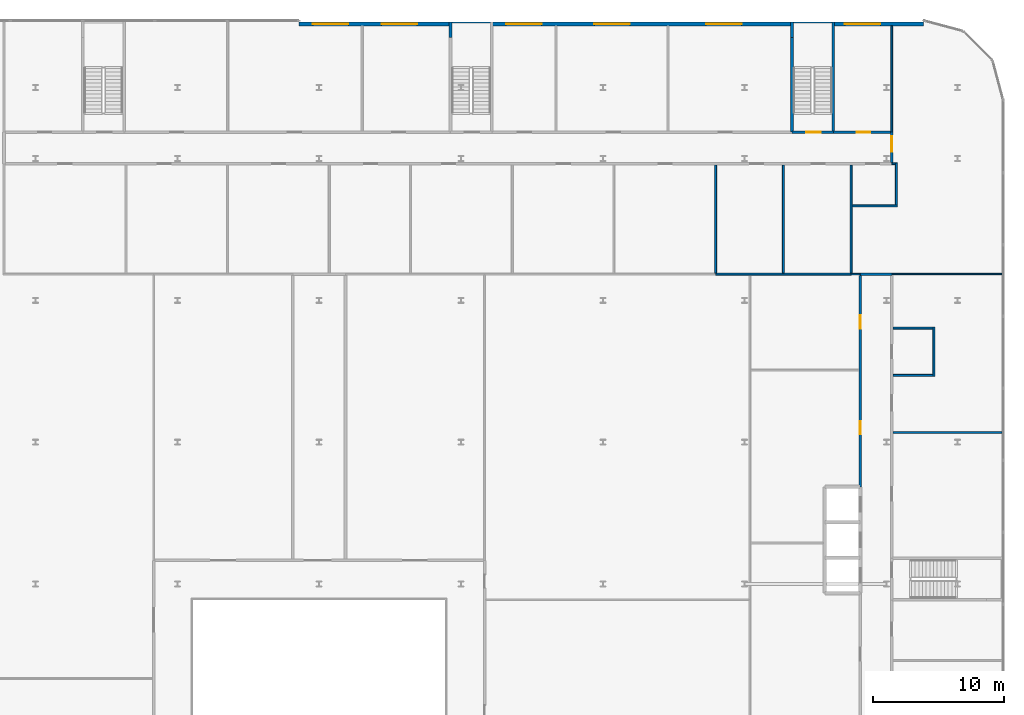
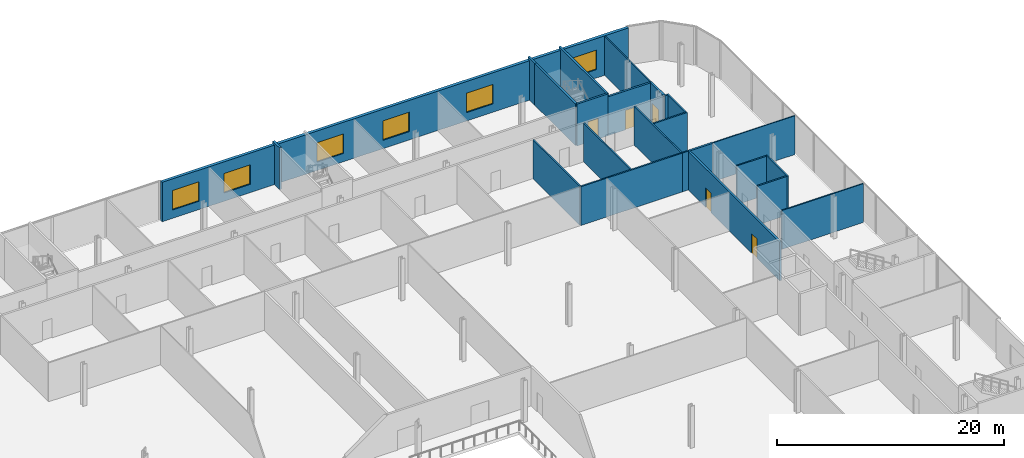
# One storey, part 36 of 47: 24 walls, 6 windows, 5 doors, 11 openings.
"""IFC4 building model written with IfcOpenShell, lengths in metres."""

from ifc_helpers import new_model, si_unit, direction, frame, frame_2d, origin, place, context, subcontext, project, spatial, rectangle, extrude, source, transform, mapped, material, layer, layer_set, type_object, element, fill, save


model = new_model("IFC4")

# Units and contexts
model_context = context("Model", 3, precision=1e-05, world=origin(), true_north=direction((0.0, 1.0)))
body_context = subcontext(model_context, "Body", "Model", "MODEL_VIEW")
ifc_project = project(units=[si_unit("LENGTHUNIT", "METRE"), si_unit("AREAUNIT", "SQUARE_METRE"), si_unit("VOLUMEUNIT", "CUBIC_METRE"), si_unit("PLANEANGLEUNIT", "RADIAN"), si_unit("MASSUNIT", "GRAM", prefix="KILO")], contexts=[model_context])

# Site, building, storey
site_placement = place(None, origin())
site = spatial("IfcSite", under=ifc_project, at=site_placement, CompositionType="ELEMENT")
building_placement = place(site_placement, origin())
building = spatial("IfcBuilding", under=site, at=building_placement, Name="Kheshtan School and Residences Tower", CompositionType="ELEMENT")
storey_placement = place(building_placement, frame((0.0, 0.0, 17.0)))
storey = spatial("IfcBuildingStorey", under=building, at=storey_placement, Name="L03", CompositionType="ELEMENT", Elevation=17.0)

# Walls
ifc_material_1 = material(Name="Gypsum board on steel studs with mineral wool", Category="steel")
ifc_layer_1 = layer(ifc_material_1, 0.125)
ifc_layer_set_1 = layer_set([ifc_layer_1], Name="Acoustic partition 125")
wall_type_1 = type_object("IfcWallType", Name="Acoustic partition 125", PredefinedType="PARTITIONING", material=ifc_layer_set_1)
wall_1_placement = place(storey_placement, frame((120.50390625, 90.800048828125, 0.0), z_axis=(0.0, 0.0, 1.0), x_axis=(1.0, 0.0, 0.0)))
element("IfcWall", 1, at=wall_1_placement, inside=storey, type_object=wall_type_1, Name="Partition L03-076", PredefinedType="PARTITIONING", context=body_context, shape_type="SweptSolid", body=[
    extrude(rectangle(XDim=0.696044921875, YDim=0.125, at=frame_2d((0.34814453125, 0.0))), origin(), (0.0, 0.0, 1.0), 4.179931640625),
])
wall_2_placement = place(storey_placement, frame((123.60009765625, 101.60009765625, 0.0), z_axis=(0.0, 0.0, 1.0), x_axis=(0.0, 1.0, 0.0)))
element("IfcWall", 2, at=wall_2_placement, inside=storey, type_object=wall_type_1, Name="Partition L03-090", PredefinedType="PARTITIONING", context=body_context, shape_type="SweptSolid", body=[
    extrude(rectangle(XDim=8.100830078125, YDim=0.125, at=frame_2d((4.05029296875, 0.0))), origin(), (0.0, 0.0, 1.0), 4.179931640625),
])
wall_3_placement = place(storey_placement, frame((123.699951171875, 78.738037109375, 0.0), z_axis=(0.0, 0.0, 1.0), x_axis=(1.0, 0.0, 0.0)))
element("IfcWall", 3, at=wall_3_placement, inside=storey, type_object=wall_type_1, Name="Partition L03-092", PredefinedType="PARTITIONING", context=body_context, shape_type="SweptSolid", body=[
    extrude(rectangle(XDim=8.300048828125, YDim=0.125, at=frame_2d((4.14990234375, 0.0))), origin(), (0.0, 0.0, 1.0), 4.179931640625),
])

# Wall, opening, door
ifc_material_2 = material(Name="Gypsum board on steel studs with fire boards", Category="steel")
ifc_layer_2 = layer(ifc_material_2, 0.199951171875)
ifc_layer_set_2 = layer_set([ifc_layer_2], Name="Corridor wall 200")
wall_type_2 = type_object("IfcWallType", Name="Corridor wall 200", PredefinedType="PARTITIONING", material=ifc_layer_set_2)
wall_4_placement = place(storey_placement, frame((119.14990234375, 101.60009765625, 0.0), z_axis=(0.0, 0.0, 1.0), x_axis=(1.0, 0.0, 0.0)))
wall_4 = element("IfcWall", 4, at=wall_4_placement, inside=storey, type_object=wall_type_2, Name="Partition L03-075", PredefinedType="PARTITIONING", context=body_context, shape_type="SweptSolid", body=[
    extrude(rectangle(XDim=4.35009765625, YDim=0.199951171875, at=frame_2d((2.175048828125, 0.0))), origin(), (0.0, 0.0, 1.0), 4.179931640625),
])
opening_1_placement = place(wall_4_placement, frame((1.800048828125, 0.0, 0.0)))
opening_1 = element("IfcOpeningElement", 5, at=opening_1_placement, cuts=wall_4, Name="Opening D03-031", PredefinedType="OPENING", context=body_context, shape_type="SweptSolid", body=[
    extrude(rectangle(XDim=1.0, YDim=2.10009765625, at=frame_2d((0.5, 1.050048828125))), frame((0.0, 0.10986328125, 0.0), z_axis=(0.0, -1.0, 0.0), x_axis=(1.0, 0.0, 0.0)), (0.0, 0.0, 1.0), 0.219970703125),
])
ifc_material_3 = material(Name="Steel-framed fire-resisting door leaf", Category="steel")
door_type_1 = type_object("IfcDoorType", Name="Fire door FD60 1000 x 2100", OperationType="SINGLE_SWING_LEFT", PredefinedType="DOOR", material=ifc_material_3)
shared_shape_1 = source(origin(), body_context, "Body", "SweptSolid", [
    extrude(rectangle(XDim=1.0, YDim=2.10009765625, at=frame_2d((0.5, 1.050048828125))), frame((0.0, 0.02490234375, 0.0), z_axis=(0.0, -1.0, 0.0), x_axis=(1.0, 0.0, 0.0)), (0.0, 0.0, 1.0), 0.050048828125),
])
door_1_placement = place(opening_1_placement, origin())
door_1 = element("IfcDoor", 6, at=door_1_placement, inside=storey, type_object=door_type_1, Name="Door D03-031", OperationType="SINGLE_SWING_RIGHT", OverallHeight=2.10009765625, OverallWidth=1.0, PredefinedType="DOOR", context=body_context, shape_type="MappedRepresentation", body=[
    mapped(shared_shape_1, transform((0.0, 0.0, 0.0), x_axis=(1.0, 0.0, 0.0), y_axis=(0.0, 1.0, 0.0), z_axis=(0.0, 0.0, 1.0), scale=1.0)),
])
fill(opening_1, door_1)

# Wall, openings, doors
wall_5_placement = place(storey_placement, frame((121.199951171875, 74.60009765625, 0.0), z_axis=(0.0, 0.0, 1.0), x_axis=(0.0, 1.0, 0.0)))
wall_5 = element("IfcWall", 7, at=wall_5_placement, inside=storey, type_object=wall_type_2, Name="Partition L03-082", PredefinedType="PARTITIONING", context=body_context, shape_type="SweptSolid", body=[
    extrude(rectangle(XDim=16.099853515625, YDim=0.199951171875, at=frame_2d((8.0498046875, 0.0))), origin(), (0.0, 0.0, 1.0), 4.179931640625),
])
opening_2_placement = place(wall_5_placement, frame((3.987060546875, 0.0, 0.0)))
opening_2 = element("IfcOpeningElement", 8, at=opening_2_placement, cuts=wall_5, Name="Opening D03-003", PredefinedType="OPENING", context=body_context, shape_type="SweptSolid", body=[
    extrude(rectangle(XDim=1.0, YDim=2.10009765625, at=frame_2d((0.5, 1.050048828125))), frame((0.0, 0.10986328125, 0.0), z_axis=(0.0, -1.0, 0.0), x_axis=(1.0, 0.0, 0.0)), (0.0, 0.0, 1.0), 0.219970703125),
])
opening_3_placement = place(wall_5_placement, frame((12.050048828125, 0.0, 0.0)))
opening_3 = element("IfcOpeningElement", 9, at=opening_3_placement, cuts=wall_5, Name="Opening D03-004", PredefinedType="OPENING", context=body_context, shape_type="SweptSolid", body=[
    extrude(rectangle(XDim=1.0, YDim=2.10009765625, at=frame_2d((0.5, 1.050048828125))), frame((0.0, 0.10986328125, 0.0), z_axis=(0.0, -1.0, 0.0), x_axis=(1.0, 0.0, 0.0)), (0.0, 0.0, 1.0), 0.219970703125),
])
door_2_placement = place(opening_2_placement, origin())
door_2 = element("IfcDoor", 10, at=door_2_placement, inside=storey, type_object=door_type_1, Name="Door D03-003", OperationType="SINGLE_SWING_LEFT", OverallHeight=2.10009765625, OverallWidth=1.0, PredefinedType="DOOR", context=body_context, shape_type="MappedRepresentation", body=[
    mapped(shared_shape_1, transform((0.0, 0.0, 0.0), x_axis=(1.0, 0.0, 0.0), y_axis=(0.0, 1.0, 0.0), z_axis=(0.0, 0.0, 1.0), scale=1.0)),
])
fill(opening_2, door_2)
door_3_placement = place(opening_3_placement, origin())
door_3 = element("IfcDoor", 11, at=door_3_placement, inside=storey, type_object=door_type_1, Name="Door D03-004", OperationType="SINGLE_SWING_RIGHT", OverallHeight=2.10009765625, OverallWidth=1.0, PredefinedType="DOOR", context=body_context, shape_type="MappedRepresentation", body=[
    mapped(shared_shape_1, transform((0.0, 0.0, 0.0), x_axis=(1.0, 0.0, 0.0), y_axis=(0.0, 1.0, 0.0), z_axis=(0.0, 0.0, 1.0), scale=1.0)),
])
fill(opening_3, door_3)

# Wall
wall_6_placement = place(storey_placement, frame((121.199951171875, 90.800048828125, 0.0), z_axis=(0.0, 0.0, 1.0), x_axis=(1.0, 0.0, 0.0)))
element("IfcWall", 12, at=wall_6_placement, inside=storey, type_object=wall_type_2, Name="Partition L03-083", PredefinedType="PARTITIONING", context=body_context, shape_type="SweptSolid", body=[
    extrude(rectangle(XDim=2.400146484375, YDim=0.199951171875, at=frame_2d((1.2001953125, 0.0))), origin(), (0.0, 0.0, 1.0), 4.179931640625),
])

# Wall, opening, door
wall_7_placement = place(storey_placement, frame((123.60009765625, 99.300048828125, 0.0), z_axis=(0.0, 0.0, 1.0), x_axis=(0.0, 1.0, 0.0)))
wall_7 = element("IfcWall", 13, at=wall_7_placement, inside=storey, type_object=wall_type_2, Name="Partition L03-089", PredefinedType="PARTITIONING", context=body_context, shape_type="SweptSolid", body=[
    extrude(rectangle(XDim=2.300048828125, YDim=0.199951171875, at=frame_2d((1.14990234375, 0.0))), origin(), (0.0, 0.0, 1.0), 4.179931640625),
])
opening_4_placement = place(wall_7_placement, frame((0.800048828125, 0.0, 0.0)))
opening_4 = element("IfcOpeningElement", 14, at=opening_4_placement, cuts=wall_7, Name="Opening D03-015", PredefinedType="OPENING", context=body_context, shape_type="SweptSolid", body=[
    extrude(rectangle(XDim=1.199951171875, YDim=2.10009765625, at=frame_2d((0.60009765625, 1.050048828125))), frame((0.0, 0.10986328125, 0.0), z_axis=(0.0, -1.0, 0.0), x_axis=(1.0, 0.0, 0.0)), (0.0, 0.0, 1.0), 0.219970703125),
])
door_type_2 = type_object("IfcDoorType", Name="Fire door FD60 1200 x 2100", OperationType="SINGLE_SWING_LEFT", PredefinedType="DOOR", material=ifc_material_3)
shared_shape_2 = source(origin(), body_context, "Body", "SweptSolid", [
    extrude(rectangle(XDim=1.199951171875, YDim=2.10009765625, at=frame_2d((0.60009765625, 1.050048828125))), frame((0.0, 0.02490234375, 0.0), z_axis=(0.0, -1.0, 0.0), x_axis=(1.0, 0.0, 0.0)), (0.0, 0.0, 1.0), 0.050048828125),
])
door_4_placement = place(opening_4_placement, origin())
door_4 = element("IfcDoor", 15, at=door_4_placement, inside=storey, type_object=door_type_2, Name="Door D03-015", OperationType="SINGLE_SWING_RIGHT", OverallHeight=2.10009765625, OverallWidth=1.199951171875, PredefinedType="DOOR", context=body_context, shape_type="MappedRepresentation", body=[
    mapped(shared_shape_2, transform((0.0, 0.0, 0.0), x_axis=(1.0, 0.0, 0.0), y_axis=(0.0, 1.0, 0.0), z_axis=(0.0, 0.0, 1.0), scale=1.0)),
])
fill(opening_4, door_4)

# Wall
ifc_material_4 = material(Name="Gypsum board on steel studs", Category="steel")
ifc_layer_3 = layer(ifc_material_4, 0.10009765625)
ifc_layer_set_3 = layer_set([ifc_layer_3], Name="Gypsum partition 100")
wall_type_3 = type_object("IfcWallType", Name="Gypsum partition 100", PredefinedType="PARTITIONING", material=ifc_layer_set_3)
wall_8_placement = place(storey_placement, frame((123.60009765625, 90.800048828125, 0.0), z_axis=(0.0, 0.0, 1.0), x_axis=(1.0, 0.0, 0.0)))
element("IfcWall", 16, at=wall_8_placement, inside=storey, type_object=wall_type_3, Name="Partition L03-087", PredefinedType="PARTITIONING", context=body_context, shape_type="SweptSolid", body=[
    extrude(rectangle(XDim=8.39990234375, YDim=0.10009765625, at=frame_2d((4.199951171875, 0.0))), origin(), (0.0, 0.0, 1.0), 4.179931640625),
])

# Wall, openings, windows
ifc_material_5 = material(Name="Concrete C40/50 with ceramic cladding and mineral wool insulation", Category="concrete")
ifc_layer_4 = layer(ifc_material_5, 0.300048828125)
ifc_layer_set_4 = layer_set([ifc_layer_4], Name="Podium external wall 300")
wall_type_4 = type_object("IfcWallType", Name="Podium external wall 300", PredefinedType="SOLIDWALL", material=ifc_layer_set_4)
wall_9_placement = place(storey_placement, frame((78.47998046875, 109.85009765625, 0.0), z_axis=(0.0, 0.0, 1.0), x_axis=(1.0, 0.0, 0.0)))
wall_9 = element("IfcWall", 17, at=wall_9_placement, inside=storey, type_object=wall_type_4, Name="Podium external wall L03 4.1", PredefinedType="SOLIDWALL", context=body_context, shape_type="SweptSolid", body=[
    extrude(rectangle(XDim=47.52001953125, YDim=0.300048828125, at=frame_2d((23.760009765625, 0.0))), origin(), (0.0, 0.0, 1.0), 4.25),
])
opening_5_placement = place(wall_9_placement, frame((1.044921875, 0.0, 0.89990234375)))
opening_5 = element("IfcOpeningElement", 18, at=opening_5_placement, cuts=wall_9, Name="Opening WN-D", PredefinedType="OPENING", context=body_context, shape_type="SweptSolid", body=[
    extrude(rectangle(XDim=2.699951171875, YDim=2.10009765625, at=frame_2d((1.35009765625, 1.050048828125))), frame((0.0, 0.16015625, 0.0), z_axis=(0.0, -1.0, 0.0), x_axis=(1.0, 0.0, 0.0)), (0.0, 0.0, 1.0), 0.320068359375),
])
opening_6_placement = place(wall_9_placement, frame((6.280029296875, 0.0, 0.89990234375)))
opening_6 = element("IfcOpeningElement", 19, at=opening_6_placement, cuts=wall_9, Name="Opening WN-D", PredefinedType="OPENING", context=body_context, shape_type="SweptSolid", body=[
    extrude(rectangle(XDim=2.699951171875, YDim=2.10009765625, at=frame_2d((1.35009765625, 1.050048828125))), frame((0.0, 0.16015625, 0.0), z_axis=(0.0, -1.0, 0.0), x_axis=(1.0, 0.0, 0.0)), (0.0, 0.0, 1.0), 0.320068359375),
])
opening_7_placement = place(wall_9_placement, frame((15.764892578125, 0.0, 0.89990234375)))
opening_7 = element("IfcOpeningElement", 20, at=opening_7_placement, cuts=wall_9, Name="Opening WN-D", PredefinedType="OPENING", context=body_context, shape_type="SweptSolid", body=[
    extrude(rectangle(XDim=2.699951171875, YDim=2.10009765625, at=frame_2d((1.35009765625, 1.050048828125))), frame((0.0, 0.16015625, 0.0), z_axis=(0.0, -1.0, 0.0), x_axis=(1.0, 0.0, 0.0)), (0.0, 0.0, 1.0), 0.320068359375),
])
opening_8_placement = place(wall_9_placement, frame((22.469970703125, 0.0, 0.89990234375)))
opening_8 = element("IfcOpeningElement", 21, at=opening_8_placement, cuts=wall_9, Name="Opening WN-D", PredefinedType="OPENING", context=body_context, shape_type="SweptSolid", body=[
    extrude(rectangle(XDim=2.699951171875, YDim=2.10009765625, at=frame_2d((1.35009765625, 1.050048828125))), frame((0.0, 0.16015625, 0.0), z_axis=(0.0, -1.0, 0.0), x_axis=(1.0, 0.0, 0.0)), (0.0, 0.0, 1.0), 0.320068359375),
])
opening_9_placement = place(wall_9_placement, frame((30.989990234375, 0.0, 0.89990234375)))
opening_9 = element("IfcOpeningElement", 22, at=opening_9_placement, cuts=wall_9, Name="Opening WN-D", PredefinedType="OPENING", context=body_context, shape_type="SweptSolid", body=[
    extrude(rectangle(XDim=2.699951171875, YDim=2.10009765625, at=frame_2d((1.35009765625, 1.050048828125))), frame((0.0, 0.16015625, 0.0), z_axis=(0.0, -1.0, 0.0), x_axis=(1.0, 0.0, 0.0)), (0.0, 0.0, 1.0), 0.320068359375),
])
opening_10_placement = place(wall_9_placement, frame((41.544921875, 0.0, 0.89990234375)))
opening_10 = element("IfcOpeningElement", 23, at=opening_10_placement, cuts=wall_9, Name="Opening WN-D", PredefinedType="OPENING", context=body_context, shape_type="SweptSolid", body=[
    extrude(rectangle(XDim=2.699951171875, YDim=2.10009765625, at=frame_2d((1.35009765625, 1.050048828125))), frame((0.0, 0.16015625, 0.0), z_axis=(0.0, -1.0, 0.0), x_axis=(1.0, 0.0, 0.0)), (0.0, 0.0, 1.0), 0.320068359375),
])
ifc_material_6 = material(Name="Clear low-e glass in thermally broken aluminium frame", Category="aluminium")
window_type = type_object("IfcWindowType", Name="Window WN-D", PartitioningType="SINGLE_PANEL", PredefinedType="WINDOW", material=ifc_material_6)
shared_shape_3 = source(origin(), body_context, "Body", "SweptSolid", [
    extrude(rectangle(XDim=2.699951171875, YDim=2.10009765625, at=frame_2d((1.35009765625, 1.050048828125))), frame((0.0, 0.030029296875, 0.0), z_axis=(0.0, -1.0, 0.0), x_axis=(1.0, 0.0, 0.0)), (0.0, 0.0, 1.0), 0.06005859375),
])
window_1_placement = place(opening_5_placement, origin())
window_1 = element("IfcWindow", 24, at=window_1_placement, inside=storey, type_object=window_type, Name="Window L03 4.1.1", OverallHeight=2.10009765625, OverallWidth=2.699951171875, PartitioningType="SINGLE_PANEL", PredefinedType="WINDOW", context=body_context, shape_type="MappedRepresentation", body=[
    mapped(shared_shape_3, transform((0.0, 0.0, 0.0), x_axis=(1.0, 0.0, 0.0), y_axis=(0.0, 1.0, 0.0), z_axis=(0.0, 0.0, 1.0), scale=1.0)),
])
fill(opening_5, window_1)
window_2_placement = place(opening_6_placement, origin())
window_2 = element("IfcWindow", 25, at=window_2_placement, inside=storey, type_object=window_type, Name="Window L03 4.1.2", OverallHeight=2.10009765625, OverallWidth=2.699951171875, PartitioningType="SINGLE_PANEL", PredefinedType="WINDOW", context=body_context, shape_type="MappedRepresentation", body=[
    mapped(shared_shape_3, transform((0.0, 0.0, 0.0), x_axis=(1.0, 0.0, 0.0), y_axis=(0.0, 1.0, 0.0), z_axis=(0.0, 0.0, 1.0), scale=1.0)),
])
fill(opening_6, window_2)
window_3_placement = place(opening_7_placement, origin())
window_3 = element("IfcWindow", 26, at=window_3_placement, inside=storey, type_object=window_type, Name="Window L03 4.1.3", OverallHeight=2.10009765625, OverallWidth=2.699951171875, PartitioningType="SINGLE_PANEL", PredefinedType="WINDOW", context=body_context, shape_type="MappedRepresentation", body=[
    mapped(shared_shape_3, transform((0.0, 0.0, 0.0), x_axis=(1.0, 0.0, 0.0), y_axis=(0.0, 1.0, 0.0), z_axis=(0.0, 0.0, 1.0), scale=1.0)),
])
fill(opening_7, window_3)
window_4_placement = place(opening_8_placement, origin())
window_4 = element("IfcWindow", 27, at=window_4_placement, inside=storey, type_object=window_type, Name="Window L03 4.1.4", OverallHeight=2.10009765625, OverallWidth=2.699951171875, PartitioningType="SINGLE_PANEL", PredefinedType="WINDOW", context=body_context, shape_type="MappedRepresentation", body=[
    mapped(shared_shape_3, transform((0.0, 0.0, 0.0), x_axis=(1.0, 0.0, 0.0), y_axis=(0.0, 1.0, 0.0), z_axis=(0.0, 0.0, 1.0), scale=1.0)),
])
fill(opening_8, window_4)
window_5_placement = place(opening_9_placement, origin())
window_5 = element("IfcWindow", 28, at=window_5_placement, inside=storey, type_object=window_type, Name="Window L03 4.1.5", OverallHeight=2.10009765625, OverallWidth=2.699951171875, PartitioningType="SINGLE_PANEL", PredefinedType="WINDOW", context=body_context, shape_type="MappedRepresentation", body=[
    mapped(shared_shape_3, transform((0.0, 0.0, 0.0), x_axis=(1.0, 0.0, 0.0), y_axis=(0.0, 1.0, 0.0), z_axis=(0.0, 0.0, 1.0), scale=1.0)),
])
fill(opening_9, window_5)
window_6_placement = place(opening_10_placement, origin())
window_6 = element("IfcWindow", 29, at=window_6_placement, inside=storey, type_object=window_type, Name="Window L03 4.1.6", OverallHeight=2.10009765625, OverallWidth=2.699951171875, PartitioningType="SINGLE_PANEL", PredefinedType="WINDOW", context=body_context, shape_type="MappedRepresentation", body=[
    mapped(shared_shape_3, transform((0.0, 0.0, 0.0), x_axis=(1.0, 0.0, 0.0), y_axis=(0.0, 1.0, 0.0), z_axis=(0.0, 0.0, 1.0), scale=1.0)),
])
fill(opening_10, window_6)

# Wall
ifc_material_7 = material(Name="Concrete C40/50", Category="concrete")
ifc_layer_5 = layer(ifc_material_7, 0.199951171875)
ifc_layer_set_5 = layer_set([ifc_layer_5], Name="Stair enclosure wall 200 Concrete C40/50")
wall_type_5 = type_object("IfcWallType", Name="Stair enclosure wall 200 Concrete C40/50", PredefinedType="SHEAR", material=ifc_layer_set_5)
wall_10_placement = place(storey_placement, frame((90.0, 108.800048828125, 0.0), z_axis=(0.0, 0.0, 1.0), x_axis=(0.0, 1.0, 0.0)))
element("IfcWall", 30, at=wall_10_placement, inside=storey, type_object=wall_type_5, Name="Stair enclosure wall", PredefinedType="SHEAR", context=body_context, shape_type="SweptSolid", body=[
    extrude(rectangle(XDim=1.199951171875, YDim=0.199951171875, at=frame_2d((0.60009765625, 0.0))), origin(), (0.0, 0.0, 1.0), 4.5),
])

# Wall, opening, door
wall_11_placement = place(storey_placement, frame((116.0, 101.60009765625, 0.0), z_axis=(0.0, 0.0, 1.0), x_axis=(1.0, 0.0, 0.0)))
wall_11 = element("IfcWall", 31, at=wall_11_placement, inside=storey, type_object=wall_type_5, Name="Stair enclosure wall", PredefinedType="SHEAR", context=body_context, shape_type="SweptSolid", body=[
    extrude(rectangle(XDim=3.14990234375, YDim=0.199951171875, at=frame_2d((1.574951171875, 0.0))), origin(), (0.0, 0.0, 1.0), 4.5),
])
opening_11_placement = place(wall_11_placement, frame((1.10009765625, 0.0, 0.0)))
opening_11 = element("IfcOpeningElement", 32, at=opening_11_placement, cuts=wall_11, Name="Opening SD90", PredefinedType="OPENING", context=body_context, shape_type="SweptSolid", body=[
    extrude(rectangle(XDim=1.10009765625, YDim=2.199951171875, at=frame_2d((0.550048828125, 1.10009765625))), frame((0.0, 0.10986328125, 0.0), z_axis=(0.0, -1.0, 0.0), x_axis=(1.0, 0.0, 0.0)), (0.0, 0.0, 1.0), 0.219970703125),
])
ifc_material_8 = material(Name="Steel door leaf, galvanised", Category="steel")
door_type_3 = type_object("IfcDoorType", Name="Stair door 1100 steel 90 min", OperationType="SINGLE_SWING_LEFT", PredefinedType="DOOR", material=ifc_material_8)
shared_shape_4 = source(origin(), body_context, "Body", "SweptSolid", [
    extrude(rectangle(XDim=1.10009765625, YDim=2.199951171875, at=frame_2d((0.550048828125, 1.10009765625))), frame((0.0, 0.02490234375, 0.0), z_axis=(0.0, -1.0, 0.0), x_axis=(1.0, 0.0, 0.0)), (0.0, 0.0, 1.0), 0.050048828125),
])
door_5_placement = place(opening_11_placement, origin())
door_5 = element("IfcDoor", 33, at=door_5_placement, inside=storey, type_object=door_type_3, Name="Stair door", OperationType="SINGLE_SWING_RIGHT", OverallHeight=2.199951171875, OverallWidth=1.10009765625, PredefinedType="DOOR", context=body_context, shape_type="MappedRepresentation", body=[
    mapped(shared_shape_4, transform((0.0, 0.0, 0.0), x_axis=(1.0, 0.0, 0.0), y_axis=(0.0, 1.0, 0.0), z_axis=(0.0, 0.0, 1.0), scale=1.0)),
])
fill(opening_11, door_5)

# Walls
wall_12_placement = place(storey_placement, frame((116.0, 101.60009765625, 0.0), z_axis=(0.0, 0.0, 1.0), x_axis=(0.0, 1.0, 0.0)))
element("IfcWall", 34, at=wall_12_placement, inside=storey, type_object=wall_type_5, Name="Stair enclosure wall", PredefinedType="SHEAR", context=body_context, shape_type="SweptSolid", body=[
    extrude(rectangle(XDim=7.199951171875, YDim=0.199951171875, at=frame_2d((3.60009765625, 0.0))), origin(), (0.0, 0.0, 1.0), 4.5),
])
wall_13_placement = place(storey_placement, frame((116.0, 108.800048828125, 0.0), z_axis=(0.0, 0.0, 1.0), x_axis=(0.0, 1.0, 0.0)))
element("IfcWall", 35, at=wall_13_placement, inside=storey, type_object=wall_type_5, Name="Stair enclosure wall", PredefinedType="SHEAR", context=body_context, shape_type="SweptSolid", body=[
    extrude(rectangle(XDim=1.199951171875, YDim=0.199951171875, at=frame_2d((0.60009765625, 0.0))), origin(), (0.0, 0.0, 1.0), 4.5),
])
wall_14_placement = place(storey_placement, frame((119.14990234375, 101.60009765625, 0.0), z_axis=(0.0, 0.0, 1.0), x_axis=(0.0, 1.0, 0.0)))
element("IfcWall", 36, at=wall_14_placement, inside=storey, type_object=wall_type_5, Name="Stair enclosure wall", PredefinedType="SHEAR", context=body_context, shape_type="SweptSolid", body=[
    extrude(rectangle(XDim=8.39990234375, YDim=0.199951171875, at=frame_2d((4.199951171875, 0.0))), origin(), (0.0, 0.0, 1.0), 4.5),
])
ifc_material_9 = material(Name="Moisture-resistant gypsum board on steel studs", Category="steel")
ifc_layer_6 = layer(ifc_material_9, 0.14990234375)
ifc_layer_set_6 = layer_set([ifc_layer_6], Name="Wet-room partition 150")
wall_type_6 = type_object("IfcWallType", Name="Wet-room partition 150", PredefinedType="PARTITIONING", material=ifc_layer_set_6)
wall_15_placement = place(storey_placement, frame((110.18310546875, 90.800048828125, 0.0), z_axis=(0.0, 0.0, 1.0), x_axis=(1.0, 0.0, 0.0)))
element("IfcWall", 37, at=wall_15_placement, inside=storey, type_object=wall_type_6, Name="Partition L03-066", PredefinedType="PARTITIONING", context=body_context, shape_type="SweptSolid", body=[
    extrude(rectangle(XDim=10.32080078125, YDim=0.14990234375, at=frame_2d((5.160400390625, 0.0))), origin(), (0.0, 0.0, 1.0), 4.179931640625),
])
for number, where, z_axis, x_axis, name in (
    (38, (110.18310546875, 90.875, 0.0), (0.0, 0.0, 1.0), (0.0, 1.0, 0.0), "Partition L03-067"),
    (39, (115.343994140625, 90.875, 0.0), (0.0, 0.0, 1.0), (0.0, 1.0, 0.0), "Partition L03-073"),
    (40, (120.50390625, 90.875, 0.0), (0.0, 0.0, 1.0), (0.0, 1.0, 0.0), "Partition L03-077"),
):
    element("IfcWall", number, at=place(storey_placement, frame(where, z_axis=z_axis, x_axis=x_axis)), inside=storey, type_object=wall_type_6, Name=name, PredefinedType="PARTITIONING", context=body_context, shape_type="SweptSolid", body=[
        extrude(rectangle(XDim=8.22509765625, YDim=0.14990234375, at=frame_2d((4.112548828125, 0.0))), origin(), (0.0, 0.0, 1.0), 4.179931640625),
    ])
wall_16_placement = place(storey_placement, frame((120.5791015625, 96.0, 0.0), z_axis=(0.0, 0.0, 1.0), x_axis=(1.0, 0.0, 0.0)))
element("IfcWall", 41, at=wall_16_placement, inside=storey, type_object=wall_type_6, Name="Partition L03-078", PredefinedType="PARTITIONING", context=body_context, shape_type="SweptSolid", body=[
    extrude(rectangle(XDim=3.449951171875, YDim=0.14990234375, at=frame_2d((1.72509765625, 0.0))), origin(), (0.0, 0.0, 1.0), 4.179931640625),
])
wall_17_placement = place(storey_placement, frame((123.60009765625, 99.199951171875, 0.0), z_axis=(0.0, 0.0, 1.0), x_axis=(1.0, 0.0, 0.0)))
element("IfcWall", 42, at=wall_17_placement, inside=storey, type_object=wall_type_6, Name="Partition L03-088", PredefinedType="PARTITIONING", context=body_context, shape_type="SweptSolid", body=[
    extrude(rectangle(XDim=0.27880859375, YDim=0.14990234375, at=frame_2d((0.139404296875, 0.0))), origin(), (0.0, 0.0, 1.0), 4.179931640625),
])
for number, where, z_axis, x_axis, name in (
    (43, (123.699951171875, 83.087890625, 0.0), (0.0, 0.0, 1.0), (1.0, 0.0, 0.0), "Partition L03-093"),
    (44, (123.699951171875, 86.68798828125, 0.0), (0.0, 0.0, 1.0), (1.0, 0.0, 0.0), "Partition L03-094"),
):
    element("IfcWall", number, at=place(storey_placement, frame(where, z_axis=z_axis, x_axis=x_axis)), inside=storey, type_object=wall_type_6, Name=name, PredefinedType="PARTITIONING", context=body_context, shape_type="SweptSolid", body=[
        extrude(rectangle(XDim=3.025146484375, YDim=0.14990234375, at=frame_2d((1.5126953125, 0.0))), origin(), (0.0, 0.0, 1.0), 4.179931640625),
    ])
wall_18_placement = place(storey_placement, frame((123.9541015625, 96.074951171875, 0.0), z_axis=(0.0, 0.0, 1.0), x_axis=(0.0, 1.0, 0.0)))
element("IfcWall", 45, at=wall_18_placement, inside=storey, type_object=wall_type_6, Name="Partition L03-095", PredefinedType="PARTITIONING", context=body_context, shape_type="SweptSolid", body=[
    extrude(rectangle(XDim=3.199951171875, YDim=0.14990234375, at=frame_2d((1.60009765625, 0.0))), origin(), (0.0, 0.0, 1.0), 4.179931640625),
])
wall_19_placement = place(storey_placement, frame((126.800048828125, 83.012939453125, 0.0), z_axis=(0.0, 0.0, 1.0), x_axis=(0.0, 1.0, 0.0)))
element("IfcWall", 46, at=wall_19_placement, inside=storey, type_object=wall_type_6, Name="Partition L03-096", PredefinedType="PARTITIONING", context=body_context, shape_type="SweptSolid", body=[
    extrude(rectangle(XDim=3.75, YDim=0.14990234375, at=frame_2d((1.875, 0.0))), origin(), (0.0, 0.0, 1.0), 4.179931640625),
])

save(model, "model.ifc")
